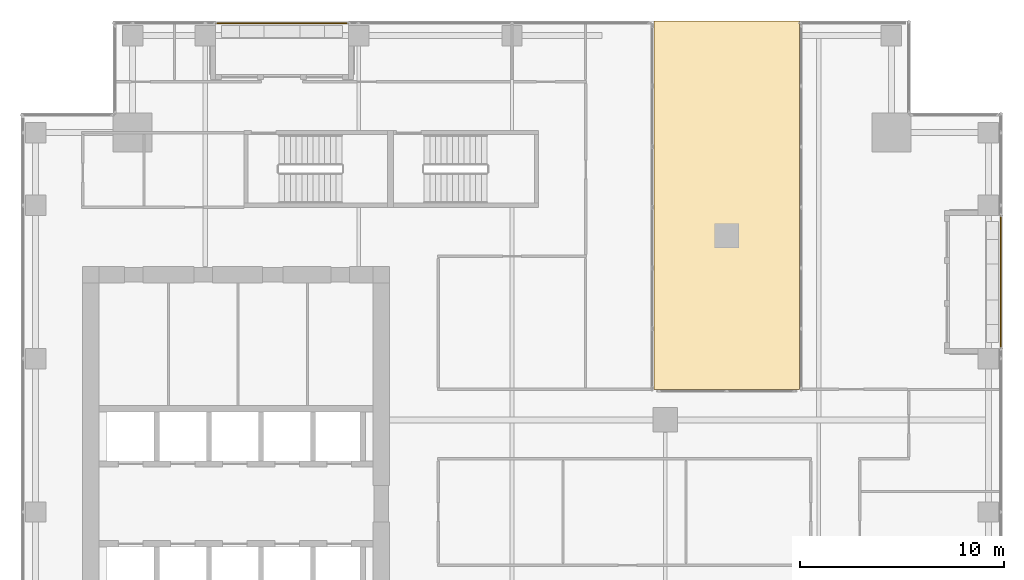
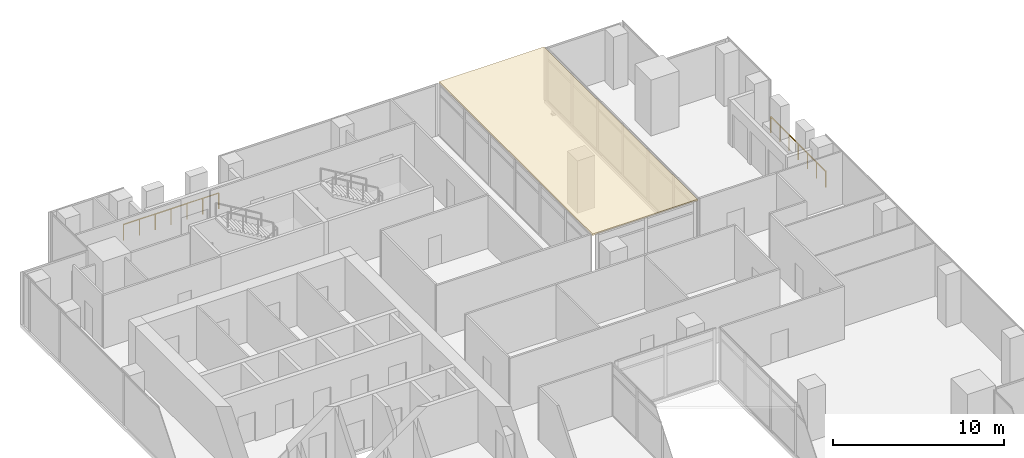
# One storey, part 39 of 40: 2 railings, 1 covering.
"""IFC4 building model written with IfcOpenShell, lengths in metres."""

from ifc_helpers import new_model, si_unit, direction, frame, origin, origin_2d, place, context, subcontext, project, spatial, polyline, circle, outline, extrude, source, transform, mapped, material, layer, layer_set, type_object, element, save


model = new_model("IFC4")

# Units and contexts
model_context = context("Model", 3, precision=1e-05, world=origin(), true_north=direction((0.0, 1.0)))
body_context = subcontext(model_context, "Body", "Model", "MODEL_VIEW")
ifc_project = project(units=[si_unit("LENGTHUNIT", "METRE"), si_unit("AREAUNIT", "SQUARE_METRE"), si_unit("VOLUMEUNIT", "CUBIC_METRE"), si_unit("PLANEANGLEUNIT", "RADIAN"), si_unit("MASSUNIT", "GRAM", prefix="KILO")], contexts=[model_context])

# Site, building, storey
site_placement = place(None, origin())
site = spatial("IfcSite", under=ifc_project, at=site_placement, CompositionType="ELEMENT")
building_placement = place(site_placement, origin())
building = spatial("IfcBuilding", under=site, at=building_placement, Name="Khomas Fold Tower", CompositionType="ELEMENT")
storey_placement = place(building_placement, frame((0.0, 0.0, 184.699951171875)))
storey = spatial("IfcBuildingStorey", under=building, at=storey_placement, Name="L40", CompositionType="ELEMENT", Elevation=184.699951171875)

# Railings
ifc_material_1 = material(Name="Powder-coated steel", Category="steel")
railing_type = type_object("IfcRailingType", Name="Balcony guard", PredefinedType="GUARDRAIL", material=ifc_material_1)
shared_shape_1 = source(origin(), body_context, "Body", "SweptSolid", [
    extrude(circle(Radius=0.02490234375, at=origin_2d()), frame((0.0, 0.0, 1.125), z_axis=(1.0, 0.0, 0.0), x_axis=(0.0, 1.0, 0.0)), (0.0, 0.0, 1.0), 6.43994140625),
    extrude(circle(Radius=0.02001953125, at=origin_2d()), origin(), (0.0, 0.0, 1.0), 1.099853515625),
    extrude(circle(Radius=0.02001953125, at=origin_2d()), frame((1.0732421875, 0.0, 0.0)), (0.0, 0.0, 1.0), 1.099853515625),
    extrude(circle(Radius=0.02001953125, at=origin_2d()), frame((2.146728515625, 0.0, 0.0)), (0.0, 0.0, 1.0), 1.099853515625),
    extrude(circle(Radius=0.02001953125, at=origin_2d()), frame((3.219970703125, 0.0, 0.0)), (0.0, 0.0, 1.0), 1.099853515625),
    extrude(circle(Radius=0.02001953125, at=origin_2d()), frame((4.293212890625, 0.0, 0.0)), (0.0, 0.0, 1.0), 1.099853515625),
    extrude(circle(Radius=0.02001953125, at=origin_2d()), frame((5.36669921875, 0.0, 0.0)), (0.0, 0.0, 1.0), 1.099853515625),
    extrude(circle(Radius=0.02001953125, at=origin_2d()), frame((6.43994140625, 0.0, 0.0)), (0.0, 0.0, 1.0), 1.099853515625),
])
railing_1_placement = place(storey_placement, frame((12.530029296875, 50.89990234375, -0.044921875)))
element("IfcRailing", 1, at=railing_1_placement, inside=storey, type_object=railing_type, Name="Balcony guard BAL-L40-N1", PredefinedType="GUARDRAIL", context=body_context, shape_type="MappedRepresentation", body=[
    mapped(shared_shape_1, transform((0.0, 0.0, 0.0))),
])
shared_shape_2 = source(origin(), body_context, "Body", "SweptSolid", [
    extrude(circle(Radius=0.02490234375, at=origin_2d()), frame((0.0, 0.0, 1.125), z_axis=(0.0, 1.0, 0.0), x_axis=(-1.0, 0.0, 0.0)), (0.0, 0.0, 1.0), 6.43994140625),
    extrude(circle(Radius=0.02001953125, at=origin_2d()), origin(), (0.0, 0.0, 1.0), 1.099853515625),
    extrude(circle(Radius=0.02001953125, at=origin_2d()), frame((0.0, 1.0732421875, 0.0)), (0.0, 0.0, 1.0), 1.099853515625),
    extrude(circle(Radius=0.02001953125, at=origin_2d()), frame((0.0, 2.146728515625, 0.0)), (0.0, 0.0, 1.0), 1.099853515625),
    extrude(circle(Radius=0.02001953125, at=origin_2d()), frame((0.0, 3.219970703125, 0.0)), (0.0, 0.0, 1.0), 1.099853515625),
    extrude(circle(Radius=0.02001953125, at=origin_2d()), frame((0.0, 4.293212890625, 0.0)), (0.0, 0.0, 1.0), 1.099853515625),
    extrude(circle(Radius=0.02001953125, at=origin_2d()), frame((0.0, 5.36669921875, 0.0)), (0.0, 0.0, 1.0), 1.099853515625),
    extrude(circle(Radius=0.02001953125, at=origin_2d()), frame((0.0, 6.43994140625, 0.0)), (0.0, 0.0, 1.0), 1.099853515625),
])
railing_2_placement = place(storey_placement, frame((50.89990234375, 35.030029296875, -0.044921875)))
element("IfcRailing", 2, at=railing_2_placement, inside=storey, type_object=railing_type, Name="Balcony guard BAL-L40-E4", PredefinedType="GUARDRAIL", context=body_context, shape_type="MappedRepresentation", body=[
    mapped(shared_shape_2, transform((0.0, 0.0, 0.0))),
])

# Covering
ifc_material_2 = material(Name="Natural stone cladding", Category="masonry")
ifc_layer = layer(ifc_material_2, 0.1201171875)
ifc_layer_set = layer_set([ifc_layer], Name="Natural stone cladding")
covering_type = type_object("IfcCoveringType", Name="Notch soffit stone GN-SF", PredefinedType="CLADDING", material=ifc_layer_set)
shared_shape_3 = source(origin(), body_context, "Body", "SweptSolid", [
    extrude(outline(polyline([(41.050048828125, 33.0), (41.050048828125, 51.0), (33.949951171875, 51.0), (33.949951171875, 33.0), (41.050048828125, 33.0)])), origin(), (0.0, 0.0, 1.0), 0.119873046875),
])
covering_placement = place(storey_placement, frame((0.0, 0.0, 3.630126953125)))
element("IfcCovering", 3, at=covering_placement, inside=storey, type_object=covering_type, Name="Notch soffit stone", PredefinedType="CLADDING", context=body_context, shape_type="MappedRepresentation", body=[
    mapped(shared_shape_3, transform((0.0, 0.0, 0.0))),
])

save(model, "model.ifc")
